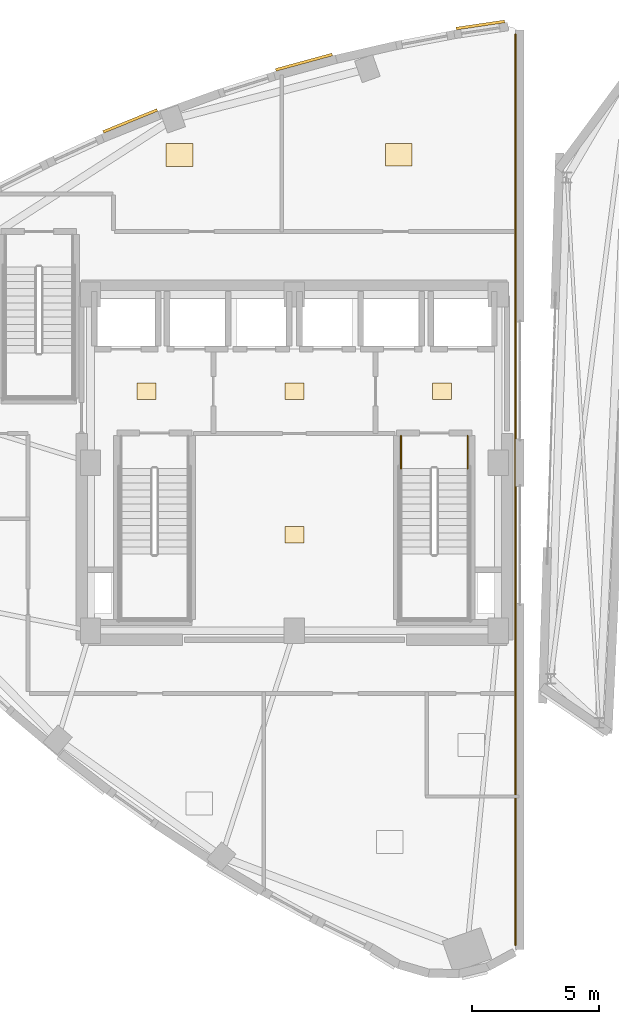
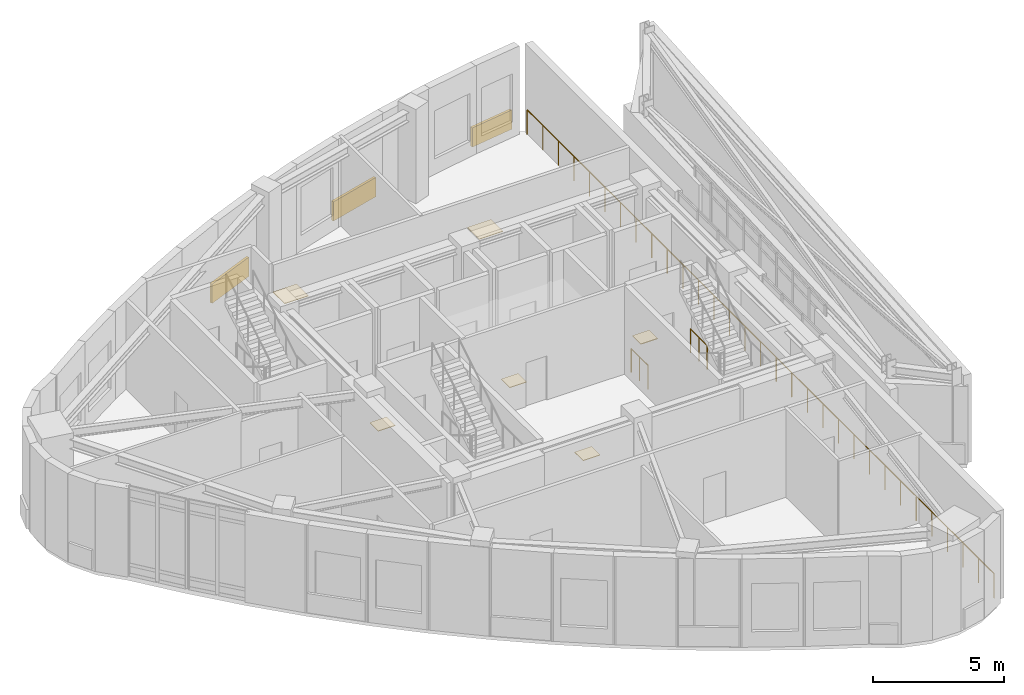
# One storey, part 19 of 19: 9 coverings, 3 railings.
"""IFC4 building model written with IfcOpenShell, lengths in metres."""

from ifc_helpers import new_model, si_unit, direction, frame, origin, origin_2d, place, context, subcontext, project, spatial, rectangle, circle, extrude, material, layer, layer_set, type_object, element, save


model = new_model("IFC4")

# Units and contexts
model_context = context("Model", 3, precision=1e-05, world=origin(), true_north=direction((0.0, 1.0)))
body_context = subcontext(model_context, "Body", "Model", "MODEL_VIEW")
ifc_project = project(units=[si_unit("LENGTHUNIT", "METRE"), si_unit("AREAUNIT", "SQUARE_METRE"), si_unit("VOLUMEUNIT", "CUBIC_METRE"), si_unit("PLANEANGLEUNIT", "RADIAN"), si_unit("MASSUNIT", "GRAM", prefix="KILO")], contexts=[model_context])

# Site, building, storey
site_placement = place(None, origin())
site = spatial("IfcSite", under=ifc_project, at=site_placement, CompositionType="ELEMENT")
building_placement = place(site_placement, origin())
building = spatial("IfcBuilding", under=site, at=building_placement, Name="Ndelora Gate Hotel", CompositionType="ELEMENT")
storey_placement = place(building_placement, frame((0.0, 0.0, 290.39990234375)))
storey = spatial("IfcBuildingStorey", under=building, at=storey_placement, Name="L72", CompositionType="ELEMENT", Elevation=290.39990234375)

# Coverings
ifc_material_1 = material(Name="Terracotta Fired Clay Brick Slip Cladding", Category="masonry")
ifc_layer_1 = layer(ifc_material_1, 0.110107421875)
ifc_layer_set_1 = layer_set([ifc_layer_1], Name="Terracotta Fired Clay Brick Slip Cladding")
covering_type_1 = type_object("IfcCoveringType", Name="COV-CLAD-BRK", PredefinedType="CLADDING", material=ifc_layer_set_1)
covering_1_placement = place(storey_placement, frame((7.30078125, 17.177001953125, 0.10009765625), z_axis=(0.0, 0.0, 1.0), x_axis=(0.989170106698, 0.146773635283, 0.0)))
element("IfcCovering", 1, at=covering_1_placement, inside=storey, type_object=covering_type_1, Name="L72 Rounded-Corner Brick Cladding Band 52", PredefinedType="CLADDING", context=body_context, shape_type="SweptSolid", body=[
    extrude(rectangle(XDim=1.924072265625, YDim=0.110107421875, at=origin_2d()), origin(), (0.0, 0.0, 1.0), 0.89990234375),
])
covering_2_placement = place(storey_placement, frame((0.377197265625, 15.71826171875, 0.10009765625), z_axis=(0.0, 0.0, 1.0), x_axis=(0.964924914393, 0.262526016964, 0.0)))
element("IfcCovering", 2, at=covering_2_placement, inside=storey, type_object=covering_type_1, Name="L72 Rounded-Corner Brick Cladding Band 55", PredefinedType="CLADDING", context=body_context, shape_type="SweptSolid", body=[
    extrude(rectangle(XDim=2.301025390625, YDim=0.110107421875, at=origin_2d()), origin(), (0.0, 0.0, 1.0), 0.89990234375),
])
covering_3_placement = place(storey_placement, frame((-6.442138671875, 13.411865234375, 0.10009765625), z_axis=(0.0, 0.0, 1.0), x_axis=(0.926068294858, 0.377355950342, 0.0)))
element("IfcCovering", 3, at=covering_3_placement, inside=storey, type_object=covering_type_1, Name="L72 Rounded-Corner Brick Cladding Band 58", PredefinedType="CLADDING", context=body_context, shape_type="SweptSolid", body=[
    extrude(rectangle(XDim=2.2890625, YDim=0.110107421875, at=origin_2d()), origin(), (0.0, 0.0, 1.0), 0.89990234375),
])
ifc_material_2 = material(Name="Engineered Highland Oak Parquet", Category="wood")
ifc_layer_2 = layer(ifc_material_2, 0.030029296875)
ifc_layer_set_2 = layer_set([ifc_layer_2], Name="Engineered Highland Oak Parquet")
covering_type_2 = type_object("IfcCoveringType", Name="COV-FLR-PARQ", PredefinedType="FLOORING", material=ifc_layer_set_2)
for number, where, z_axis, x_axis, name in (
    (4, (-4.506103515625, 12.08056640625, 0.0), (0.0, 0.0, 1.0), (1.0, 0.0, 0.0), "L72 Panoramic Telescope Exhibition Room Oak Parquet Flooring"),
    (5, (4.093994140625, 12.08349609375, 0.0), (0.0, 0.0, 1.0), (1.0, 0.0, 0.0), "L72 Highland Espresso Dining Restaurant Oak Parquet Flooring"),
):
    element("IfcCovering", number, at=place(storey_placement, frame(where, z_axis=z_axis, x_axis=x_axis)), inside=storey, type_object=covering_type_2, Name=name, PredefinedType="FLOORING", context=body_context, shape_type="SweptSolid", body=[
        extrude(rectangle(XDim=1.050048828125, YDim=0.89990234375, at=origin_2d()), origin(), (0.0, 0.0, 1.0), 0.030029296875),
    ])
ifc_material_3 = material(Name="Non-Slip Porcelain Wet-Room Tile", Category="ceramic")
ifc_layer_3 = layer(ifc_material_3, 0.02490234375)
ifc_layer_set_3 = layer_set([ifc_layer_3], Name="Non-Slip Porcelain Wet-Room Tile")
covering_type_3 = type_object("IfcCoveringType", Name="COV-FLR-TILE", PredefinedType="FLOORING", material=ifc_layer_set_3)
for number, where, z_axis, x_axis, name in (
    (6, (-5.800048828125, 2.800048828125, 0.000244140625), (0.0, 0.0, 1.0), (1.0, 0.0, 0.0), "L72 Firefighting Lift Lobby West Porcelain Tile Flooring"),
    (7, (5.800048828125, 2.800048828125, 0.000244140625), (0.0, 0.0, 1.0), (1.0, 0.0, 0.0), "L72 Firefighting Lift Lobby East Porcelain Tile Flooring"),
    (8, (0.0, 2.800048828125, 0.000244140625), (0.0, 0.0, 1.0), (1.0, 0.0, 0.0), "L72 Central Passenger Lift Lobby Porcelain Tile Flooring"),
    (9, (0.0, -2.824951171875, 0.000244140625), (0.0, 0.0, 1.0), (1.0, 0.0, 0.0), "L72 Core Electrical and Linen Service Store Porcelain Tile Flooring"),
):
    element("IfcCovering", number, at=place(storey_placement, frame(where, z_axis=z_axis, x_axis=x_axis)), inside=storey, type_object=covering_type_3, Name=name, PredefinedType="FLOORING", context=body_context, shape_type="SweptSolid", body=[
        extrude(rectangle(XDim=0.75, YDim=0.64990234375, at=origin_2d()), origin(), (0.0, 0.0, 1.0), 0.02490234375),
    ])

# Railings
ifc_material_4 = material(Name="Laminated Safety Glass and Bronze Top Rail", Category="glass")
ifc_layer_4 = layer(ifc_material_4, 0.070068359375)
ifc_layer_set_4 = layer_set([ifc_layer_4], Name="Laminated Safety Glass and Bronze Top Rail")
railing_type_1 = type_object("IfcRailingType", Name="RL-BAL-1150", PredefinedType="BALUSTRADE", material=ifc_layer_set_4)
railing_placement = place(storey_placement, frame((8.679931640625, -18.9306640625, 0.0)))
element("IfcRailing", 10, at=railing_placement, inside=storey, type_object=railing_type_1, Name="L72 Split-Crown Sky-Slot Safety Guard M", PredefinedType="BALUSTRADE", context=body_context, shape_type="SweptSolid", body=[
    extrude(circle(Radius=0.02392578125, at=origin_2d()), frame((0.0, 0.0, 1.1357421875), z_axis=(0.0, 1.0, 0.0), x_axis=(-1.0, 0.0, 0.0)), (0.0, 0.0, 1.0), 35.737060546875),
    extrude(circle(Radius=0.02099609375, at=origin_2d()), origin(), (0.0, 0.0, 1.0), 1.11181640625),
    extrude(circle(Radius=0.02099609375, at=origin_2d()), frame((0.0, 1.191162109375, 0.0)), (0.0, 0.0, 1.0), 1.11181640625),
    extrude(circle(Radius=0.02099609375, at=origin_2d()), frame((0.0, 2.382568359375, 0.0)), (0.0, 0.0, 1.0), 1.11181640625),
    extrude(circle(Radius=0.02099609375, at=origin_2d()), frame((0.0, 3.57373046875, 0.0)), (0.0, 0.0, 1.0), 1.11181640625),
    extrude(circle(Radius=0.02099609375, at=origin_2d()), frame((0.0, 4.764892578125, 0.0)), (0.0, 0.0, 1.0), 1.11181640625),
    extrude(circle(Radius=0.02099609375, at=origin_2d()), frame((0.0, 5.9560546875, 0.0)), (0.0, 0.0, 1.0), 1.11181640625),
    extrude(circle(Radius=0.02099609375, at=origin_2d()), frame((0.0, 7.1474609375, 0.0)), (0.0, 0.0, 1.0), 1.11181640625),
    extrude(circle(Radius=0.02099609375, at=origin_2d()), frame((0.0, 8.338623046875, 0.0)), (0.0, 0.0, 1.0), 1.11181640625),
    extrude(circle(Radius=0.02099609375, at=origin_2d()), frame((0.0, 9.52978515625, 0.0)), (0.0, 0.0, 1.0), 1.11181640625),
    extrude(circle(Radius=0.02099609375, at=origin_2d()), frame((0.0, 10.72119140625, 0.0)), (0.0, 0.0, 1.0), 1.11181640625),
    extrude(circle(Radius=0.02099609375, at=origin_2d()), frame((0.0, 11.912353515625, 0.0)), (0.0, 0.0, 1.0), 1.11181640625),
    extrude(circle(Radius=0.02099609375, at=origin_2d()), frame((0.0, 13.103515625, 0.0)), (0.0, 0.0, 1.0), 1.11181640625),
    extrude(circle(Radius=0.02099609375, at=origin_2d()), frame((0.0, 14.294921875, 0.0)), (0.0, 0.0, 1.0), 1.11181640625),
    extrude(circle(Radius=0.02099609375, at=origin_2d()), frame((0.0, 15.486083984375, 0.0)), (0.0, 0.0, 1.0), 1.11181640625),
    extrude(circle(Radius=0.02099609375, at=origin_2d()), frame((0.0, 16.67724609375, 0.0)), (0.0, 0.0, 1.0), 1.11181640625),
    extrude(circle(Radius=0.02099609375, at=origin_2d()), frame((0.0, 17.86865234375, 0.0)), (0.0, 0.0, 1.0), 1.11181640625),
    extrude(circle(Radius=0.02099609375, at=origin_2d()), frame((0.0, 19.059814453125, 0.0)), (0.0, 0.0, 1.0), 1.11181640625),
    extrude(circle(Radius=0.02099609375, at=origin_2d()), frame((0.0, 20.2509765625, 0.0)), (0.0, 0.0, 1.0), 1.11181640625),
    extrude(circle(Radius=0.02099609375, at=origin_2d()), frame((0.0, 21.442138671875, 0.0)), (0.0, 0.0, 1.0), 1.11181640625),
    extrude(circle(Radius=0.02099609375, at=origin_2d()), frame((0.0, 22.633544921875, 0.0)), (0.0, 0.0, 1.0), 1.11181640625),
    extrude(circle(Radius=0.02099609375, at=origin_2d()), frame((0.0, 23.82470703125, 0.0)), (0.0, 0.0, 1.0), 1.11181640625),
    extrude(circle(Radius=0.02099609375, at=origin_2d()), frame((0.0, 25.015869140625, 0.0)), (0.0, 0.0, 1.0), 1.11181640625),
    extrude(circle(Radius=0.02099609375, at=origin_2d()), frame((0.0, 26.207275390625, 0.0)), (0.0, 0.0, 1.0), 1.11181640625),
    extrude(circle(Radius=0.02099609375, at=origin_2d()), frame((0.0, 27.3984375, 0.0)), (0.0, 0.0, 1.0), 1.11181640625),
    extrude(circle(Radius=0.02099609375, at=origin_2d()), frame((0.0, 28.589599609375, 0.0)), (0.0, 0.0, 1.0), 1.11181640625),
    extrude(circle(Radius=0.02099609375, at=origin_2d()), frame((0.0, 29.78076171875, 0.0)), (0.0, 0.0, 1.0), 1.11181640625),
    extrude(circle(Radius=0.02099609375, at=origin_2d()), frame((0.0, 30.97216796875, 0.0)), (0.0, 0.0, 1.0), 1.11181640625),
    extrude(circle(Radius=0.02099609375, at=origin_2d()), frame((0.0, 32.163330078125, 0.0)), (0.0, 0.0, 1.0), 1.11181640625),
    extrude(circle(Radius=0.02099609375, at=origin_2d()), frame((0.0, 33.3544921875, 0.0)), (0.0, 0.0, 1.0), 1.11181640625),
    extrude(circle(Radius=0.02099609375, at=origin_2d()), frame((0.0, 34.5458984375, 0.0)), (0.0, 0.0, 1.0), 1.11181640625),
    extrude(circle(Radius=0.02099609375, at=origin_2d()), frame((0.0, 35.737060546875, 0.0)), (0.0, 0.0, 1.0), 1.11181640625),
])
ifc_material_5 = material(Name="Painted Galvanized Steel Balustrade", Category="steel")
ifc_layer_5 = layer(ifc_material_5, 0.06005859375)
ifc_layer_set_5 = layer_set([ifc_layer_5], Name="Painted Galvanized Steel Balustrade")
railing_type_2 = type_object("IfcRailingType", Name="RL-STAIR-GD", PredefinedType="GUARDRAIL", material=ifc_layer_set_5)
for number, where, name in (
    (11, (4.179931640625, 1.050048828125, 0.0), "L72 ST5 stair guard 8"),
    (12, (6.800048828125, 1.050048828125, 0.0), "L72 ST5 stair guard 9"),
):
    element("IfcRailing", number, at=place(storey_placement, frame(where)), inside=storey, type_object=railing_type_2, Name=name, PredefinedType="GUARDRAIL", context=body_context, shape_type="SweptSolid", body=[
        extrude(circle(Radius=0.02392578125, at=origin_2d()), frame((0.0, 0.0, 1.10595703125), z_axis=(0.0, -1.0, 0.0), x_axis=(1.0, 0.0, 0.0)), (0.0, 0.0, 1.0), 1.280029296875),
        extrude(circle(Radius=0.02099609375, at=origin_2d()), origin(), (0.0, 0.0, 1.0), 1.081787109375),
        extrude(circle(Radius=0.02099609375, at=origin_2d()), frame((0.0, -0.64013671875, 0.0)), (0.0, 0.0, 1.0), 1.081787109375),
        extrude(circle(Radius=0.02099609375, at=origin_2d()), frame((0.0, -1.280029296875, 0.0)), (0.0, 0.0, 1.0), 1.081787109375),
    ])

save(model, "model.ifc")
